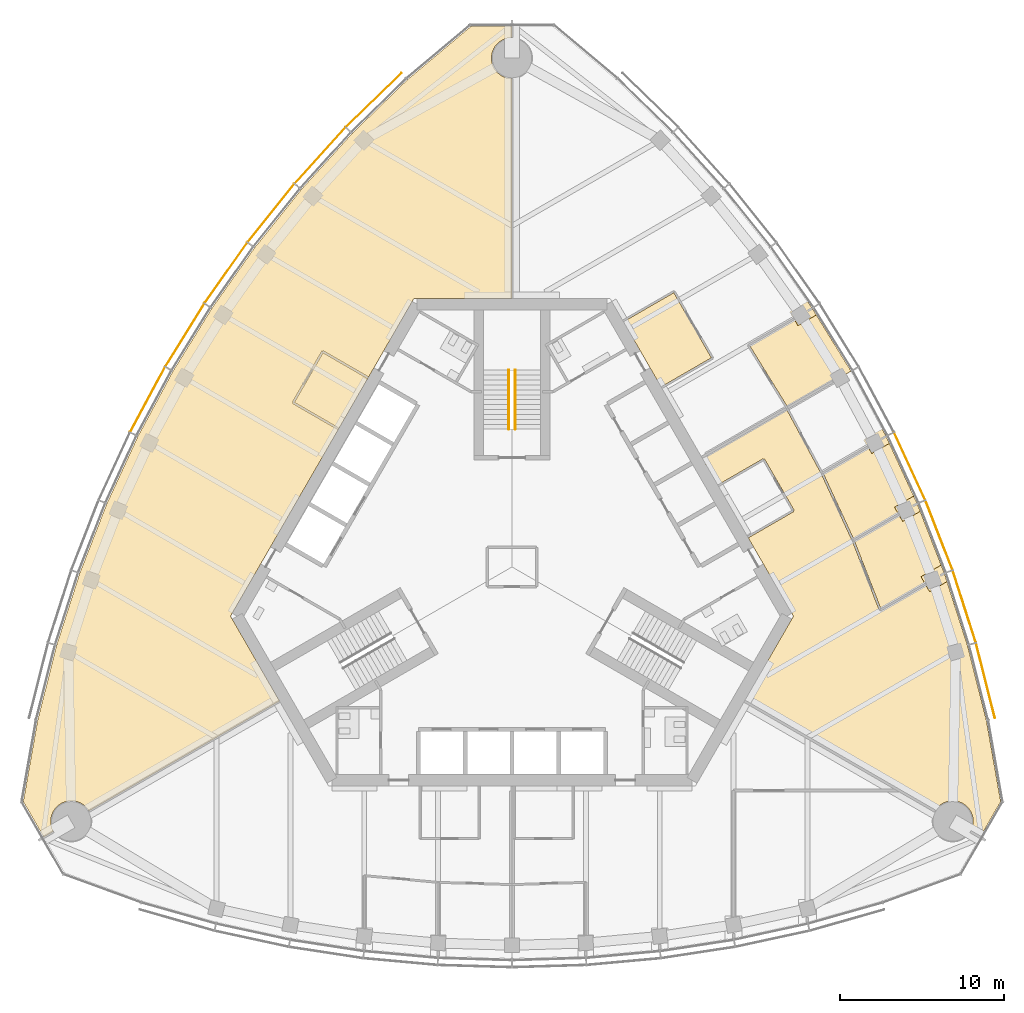
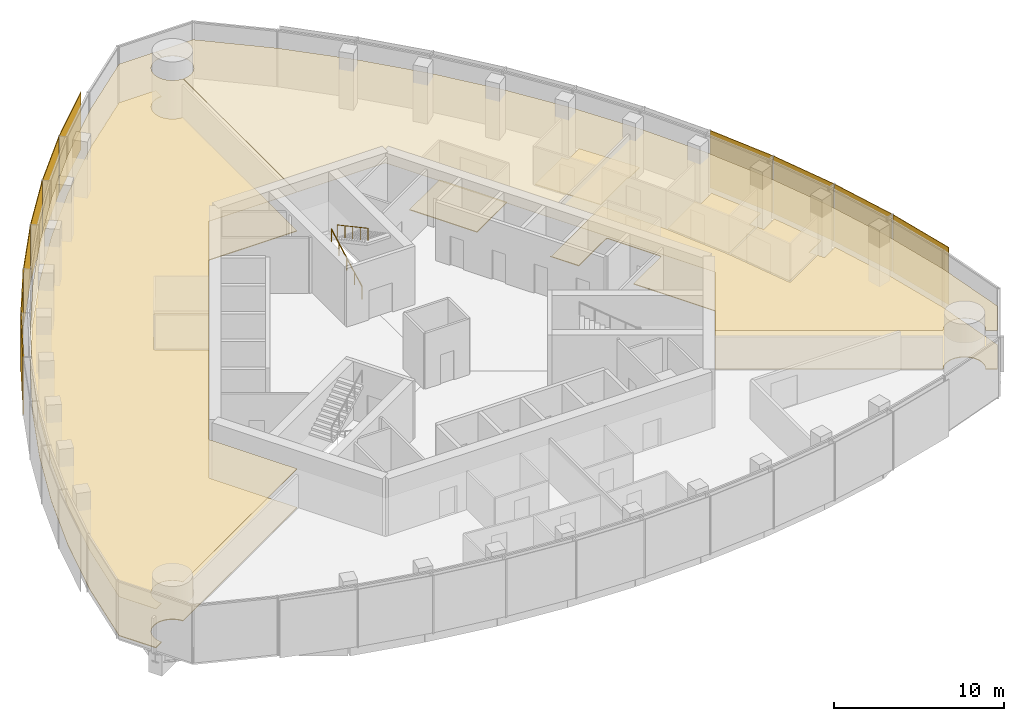
# One storey, part 13 of 16: 10 shading devices, 9 coverings, 2 railings.
"""IFC4 building model written with IfcOpenShell, lengths in metres."""

from ifc_helpers import new_model, si_unit, direction, frame, origin, origin_2d, place, context, subcontext, project, spatial, polyline, rectangle, circle, outline, extrude, material, layer, layer_set, type_object, element, save


model = new_model("IFC4")

# Units and contexts
model_context = context("Model", 3, precision=1e-05, world=origin(), true_north=direction((0.0, 1.0)))
body_context = subcontext(model_context, "Body", "Model", "MODEL_VIEW")
ifc_project = project(units=[si_unit("LENGTHUNIT", "METRE"), si_unit("AREAUNIT", "SQUARE_METRE"), si_unit("VOLUMEUNIT", "CUBIC_METRE"), si_unit("PLANEANGLEUNIT", "RADIAN"), si_unit("MASSUNIT", "GRAM", prefix="KILO")], contexts=[model_context])

# Site, building, storey
site_placement = place(None, origin())
site = spatial("IfcSite", under=ifc_project, at=site_placement, CompositionType="ELEMENT")
building_placement = place(site_placement, origin())
building = spatial("IfcBuilding", under=site, at=building_placement, Name="Trefoil Bronze Tower", CompositionType="ELEMENT")
storey_placement = place(building_placement, frame((0.0, 0.0, 297.300048828125)))
storey = spatial("IfcBuildingStorey", under=building, at=storey_placement, Name="L68", CompositionType="ELEMENT", Elevation=297.300048828125)

# Shading devices
ifc_material_1 = material(Name="Perforated bronze sheet", Category="bronze")
ifc_layer_1 = layer(ifc_material_1, 0.0400390625)
ifc_layer_set_1 = layer_set([ifc_layer_1], Name="Bronze solar screen panel")
shading_device_type = type_object("IfcShadingDeviceType", Name="Bronze solar screen panel", PredefinedType="SHUTTER", material=ifc_layer_set_1)
shading_device_1_placement = place(storey_placement, frame((28.843994140625, -6.927490234375, 0.0498046875), z_axis=(0.0, 0.0, 1.0), x_axis=(-0.244879561333, 0.969553505713, 0.0)))
element("IfcShadingDevice", 1, at=shading_device_1_placement, inside=storey, type_object=shading_device_type, Name="Solar screen CW-A L68 F2 bay 1", PredefinedType="SHUTTER", context=body_context, shape_type="SweptSolid", body=[
    extrude(rectangle(XDim=4.697509765625, YDim=0.0400390625, at=origin_2d()), origin(), (0.0, 0.0, 1.0), 4.10009765625),
])
shading_device_2_placement = place(storey_placement, frame((27.55322265625, -2.410888671875, 0.0498046875), z_axis=(0.0, 0.0, 1.0), x_axis=(-0.305187864214, 0.952292165009, 0.0)))
element("IfcShadingDevice", 2, at=shading_device_2_placement, inside=storey, type_object=shading_device_type, Name="Solar screen CW-A L68 F2 bay 2", PredefinedType="SHUTTER", context=body_context, shape_type="SweptSolid", body=[
    extrude(rectangle(XDim=4.574462890625, YDim=0.0400390625, at=origin_2d()), origin(), (0.0, 0.0, 1.0), 4.10009765625),
])
shading_device_3_placement = place(storey_placement, frame((26.0126953125, 1.93359375, 0.0498046875), z_axis=(0.0, 0.0, 1.0), x_axis=(-0.363198578387, 0.931711754062, 0.0)))
element("IfcShadingDevice", 3, at=shading_device_3_placement, inside=storey, type_object=shading_device_type, Name="Solar screen CW-A L68 F2 bay 3", PredefinedType="SHUTTER", context=body_context, shape_type="SweptSolid", body=[
    extrude(rectangle(XDim=4.5224609375, YDim=0.0400390625, at=origin_2d()), origin(), (0.0, 0.0, 1.0), 4.10009765625),
])
shading_device_4_placement = place(storey_placement, frame((24.2255859375, 6.135986328125, 0.0498046875), z_axis=(0.0, 0.0, 1.0), x_axis=(-0.419309148468, 0.907843509649, 0.0)))
element("IfcShadingDevice", 4, at=shading_device_4_placement, inside=storey, type_object=shading_device_type, Name="Solar screen CW-A L68 F2 bay 4", PredefinedType="SHUTTER", context=body_context, shape_type="SweptSolid", body=[
    extrude(rectangle(XDim=4.48876953125, YDim=0.0400390625, at=origin_2d()), origin(), (0.0, 0.0, 1.0), 4.10009765625),
])
shading_device_5_placement = place(storey_placement, frame((-8.42236328125, 28.443359375, 0.0498046875), z_axis=(0.0, 0.0, 1.0), x_axis=(-0.71721818561, -0.696848673839, 0.0)))
element("IfcShadingDevice", 5, at=shading_device_5_placement, inside=storey, type_object=shading_device_type, Name="Solar screen CW-A L68 F3 bay 1", PredefinedType="SHUTTER", context=body_context, shape_type="SweptSolid", body=[
    extrude(rectangle(XDim=4.697509765625, YDim=0.0400390625, at=origin_2d()), origin(), (0.0, 0.0, 1.0), 4.10009765625),
])
shading_device_6_placement = place(storey_placement, frame((-11.688720703125, 25.067138671875, 0.0498046875), z_axis=(0.0, 0.0, 1.0), x_axis=(-0.672115274615, -0.74044652584, 0.0)))
element("IfcShadingDevice", 6, at=shading_device_6_placement, inside=storey, type_object=shading_device_type, Name="Solar screen CW-A L68 F3 bay 2", PredefinedType="SHUTTER", context=body_context, shape_type="SweptSolid", body=[
    extrude(rectangle(XDim=4.574462890625, YDim=0.0400390625, at=origin_2d()), origin(), (0.0, 0.0, 1.0), 4.10009765625),
])
shading_device_7_placement = place(storey_placement, frame((-14.680908203125, 21.560791015625, 0.0498046875), z_axis=(0.0, 0.0, 1.0), x_axis=(-0.625286758829, -0.780395072533, 0.0)))
element("IfcShadingDevice", 7, at=shading_device_7_placement, inside=storey, type_object=shading_device_type, Name="Solar screen CW-A L68 F3 bay 3", PredefinedType="SHUTTER", context=body_context, shape_type="SweptSolid", body=[
    extrude(rectangle(XDim=4.5224609375, YDim=0.0400390625, at=origin_2d()), origin(), (0.0, 0.0, 1.0), 4.10009765625),
])
shading_device_8_placement = place(storey_placement, frame((-17.4267578125, 17.912109375, 0.0498046875), z_axis=(0.0, 0.0, 1.0), x_axis=(-0.576560967783, -0.817054129437, 0.0)))
element("IfcShadingDevice", 8, at=shading_device_8_placement, inside=storey, type_object=shading_device_type, Name="Solar screen CW-A L68 F3 bay 4", PredefinedType="SHUTTER", context=body_context, shape_type="SweptSolid", body=[
    extrude(rectangle(XDim=4.48876953125, YDim=0.0400390625, at=origin_2d()), origin(), (0.0, 0.0, 1.0), 4.10009765625),
])
for number, where, z_axis, x_axis, name in (
    (9, (-19.931396484375, 14.124267578125, 0.0498046875), (0.0, 0.0, 1.0), (-0.525979532701, -0.850497225851, 0.0), "Solar screen CW-A L68 F3 bay 5"),
    (10, (-22.19775390625, 10.198974609375, 0.0498046875), (0.0, 0.0, 1.0), (-0.473562437085, -0.880760250115, 0.0), "Solar screen CW-A L68 F3 bay 6"),
):
    element("IfcShadingDevice", number, at=place(storey_placement, frame(where, z_axis=z_axis, x_axis=x_axis)), inside=storey, type_object=shading_device_type, Name=name, PredefinedType="SHUTTER", context=body_context, shape_type="SweptSolid", body=[
        extrude(rectangle(XDim=4.47216796875, YDim=0.0400390625, at=origin_2d()), origin(), (0.0, 0.0, 1.0), 4.10009765625),
    ])

# Railings
ifc_material_2 = material(Name="Steel handrail", Category="steel")
railing_type = type_object("IfcRailingType", Name="Handrail 900", PredefinedType="HANDRAIL", material=ifc_material_2)
railing_1_placement = place(storey_placement, frame((-0.199951171875, 8.389892578125, 0.161376953125)))
element("IfcRailing", 11, at=railing_1_placement, inside=storey, type_object=railing_type, Name="Handrail ST2 flight 1 L68", PredefinedType="HANDRAIL", context=body_context, shape_type="SweptSolid", body=[
    extrude(circle(Radius=0.02392578125, at=origin_2d()), frame((0.0, 0.0, 0.8759765625), z_axis=(0.0, 0.880474934443, 0.474092701714), x_axis=(-1.0, 0.0, 0.0)), (0.0, 0.0, 1.0), 4.0888671875),
    extrude(circle(Radius=0.02099609375, at=origin_2d()), origin(), (0.0, 0.0, 1.0), 0.851806640625),
    extrude(circle(Radius=0.02099609375, at=origin_2d()), frame((0.0, 0.89990234375, 0.484619140625)), (0.0, 0.0, 1.0), 0.851806640625),
    extrude(circle(Radius=0.02099609375, at=origin_2d()), frame((0.0, 1.800048828125, 0.96923828125)), (0.0, 0.0, 1.0), 0.851806640625),
    extrude(circle(Radius=0.02099609375, at=origin_2d()), frame((0.0, 2.7001953125, 1.453857421875)), (0.0, 0.0, 1.0), 0.851806640625),
    extrude(circle(Radius=0.02099609375, at=origin_2d()), frame((0.0, 3.60009765625, 1.9384765625)), (0.0, 0.0, 1.0), 0.851806640625),
])
railing_2_placement = place(storey_placement, frame((0.199951171875, 11.989990234375, 2.261474609375)))
element("IfcRailing", 12, at=railing_2_placement, inside=storey, type_object=railing_type, Name="Handrail ST2 flight 2 L68", PredefinedType="HANDRAIL", context=body_context, shape_type="SweptSolid", body=[
    extrude(circle(Radius=0.02392578125, at=origin_2d()), frame((0.0, 0.0, 0.8759765625), z_axis=(0.0, -0.880474934443, 0.474092701714), x_axis=(1.0, 0.0, 0.0)), (0.0, 0.0, 1.0), 4.0888671875),
    extrude(circle(Radius=0.02099609375, at=origin_2d()), origin(), (0.0, 0.0, 1.0), 0.851806640625),
    extrude(circle(Radius=0.02099609375, at=origin_2d()), frame((0.0, -0.89990234375, 0.484619140625)), (0.0, 0.0, 1.0), 0.851806640625),
    extrude(circle(Radius=0.02099609375, at=origin_2d()), frame((0.0, -1.800048828125, 0.96923828125)), (0.0, 0.0, 1.0), 0.851806640625),
    extrude(circle(Radius=0.02099609375, at=origin_2d()), frame((0.0, -2.7001953125, 1.453857421875)), (0.0, 0.0, 1.0), 0.851806640625),
    extrude(circle(Radius=0.02099609375, at=origin_2d()), frame((0.0, -3.60009765625, 1.9384765625)), (0.0, 0.0, 1.0), 0.851806640625),
])

# Coverings
ifc_material_3 = material(Name="Acoustic ceiling panels", Category="mineral fibre")
ifc_layer_2 = layer(ifc_material_3, 0.02001953125)
ifc_layer_set_2 = layer_set([ifc_layer_2], Name="Office ceiling 20")
covering_type_1 = type_object("IfcCoveringType", Name="Office ceiling 20", PredefinedType="CEILING", material=ifc_layer_set_2)
covering_1_placement = place(storey_placement, frame((0.0, 0.0, 2.89990234375)))
element("IfcCovering", 13, at=covering_1_placement, inside=storey, type_object=covering_type_1, Name="Ceiling L68 Client suite F2", PredefinedType="CEILING", context=body_context, shape_type="SweptSolid", body=[
    extrude(outline(polyline([(9.741455078125, 26.408935546875), (12.836181640625, 22.99951171875), (15.682861328125, 19.44677734375), (18.2880859375, 15.7548828125), (20.656005859375, 11.92578125), (22.7880859375, 7.960693359375), (24.682861328125, 3.8583984375), (26.336181640625, -0.38330078125), (27.741455078125, -4.76806640625), (28.899169921875, -9.3515625), (29.770263671875, -14.291748046875), (28.522216796875, -16.453125), (27.93505859375, -16.1142578125), (27.976806640625, -16.034423828125), (28.001708984375, -15.978515625), (28.023681640625, -15.921142578125), (28.04296875, -15.86279296875), (28.059326171875, -15.8037109375), (28.07275390625, -15.743896484375), (28.083251953125, -15.683349609375), (28.0908203125, -15.62255859375), (28.09521484375, -15.561279296875), (28.0966796875, -15.5), (28.09521484375, -15.438720703125), (28.0908203125, -15.37744140625), (28.083251953125, -15.316650390625), (28.07275390625, -15.256103515625), (28.059326171875, -15.1962890625), (28.04296875, -15.13720703125), (28.023681640625, -15.078857421875), (28.001708984375, -15.021484375), (27.976806640625, -14.965576171875), (27.94921875, -14.910888671875), (27.9189453125, -14.857421875), (27.885986328125, -14.805419921875), (27.850830078125, -14.75537109375), (27.81298828125, -14.70703125), (27.77294921875, -14.66064453125), (27.730712890625, -14.6162109375), (27.686279296875, -14.57373046875), (27.639892578125, -14.53369140625), (27.59130859375, -14.49609375), (27.541259765625, -14.460693359375), (27.489501953125, -14.427734375), (27.43603515625, -14.397705078125), (27.381103515625, -14.3701171875), (27.3251953125, -14.34521484375), (27.267822265625, -14.322998046875), (27.209716796875, -14.3037109375), (27.150390625, -14.28759765625), (27.0908203125, -14.27392578125), (27.0302734375, -14.263427734375), (26.96923828125, -14.256103515625), (26.908203125, -14.25146484375), (26.8466796875, -14.25), (26.785400390625, -14.25146484375), (26.724365234375, -14.256103515625), (26.663330078125, -14.263427734375), (26.602783203125, -14.27392578125), (26.543212890625, -14.28759765625), (26.48388671875, -14.3037109375), (26.42578125, -14.322998046875), (26.368408203125, -14.34521484375), (26.312255859375, -14.3701171875), (26.257568359375, -14.397705078125), (26.2041015625, -14.427734375), (26.15234375, -14.460693359375), (26.102294921875, -14.49609375), (26.0537109375, -14.53369140625), (26.00732421875, -14.57373046875), (25.962890625, -14.6162109375), (25.920654296875, -14.66064453125), (25.880615234375, -14.70703125), (25.8427734375, -14.75537109375), (25.8076171875, -14.805419921875), (25.77001953125, -14.865478515625), (14.16259765625, -8.169677734375), (17.147216796875, -3.0), (5.9755859375, 16.35009765625), (0.006103515625, 16.35009765625), (0.01123046875, 29.750244140625), (0.061279296875, 29.75146484375), (0.12255859375, 29.756103515625), (0.183349609375, 29.763427734375), (0.243896484375, 29.77392578125), (0.3037109375, 29.78759765625), (0.36279296875, 29.8037109375), (0.421142578125, 29.822998046875), (0.478515625, 29.84521484375), (0.534423828125, 29.8701171875), (0.589111328125, 29.897705078125), (0.642578125, 29.927734375), (0.694580078125, 29.960693359375), (0.74462890625, 29.99609375), (0.79296875, 30.03369140625), (0.83935546875, 30.07373046875), (0.8837890625, 30.1162109375), (0.92626953125, 30.16064453125), (0.96630859375, 30.20703125), (1.00390625, 30.25537109375), (1.039306640625, 30.305419921875), (1.072265625, 30.357421875), (1.102294921875, 30.410888671875), (1.1298828125, 30.465576171875), (1.15478515625, 30.521484375), (1.177001953125, 30.578857421875), (1.1962890625, 30.63720703125), (1.21240234375, 30.6962890625), (1.22607421875, 30.756103515625), (1.236572265625, 30.816650390625), (1.243896484375, 30.87744140625), (1.24853515625, 30.938720703125), (1.25, 31.0), (1.24853515625, 31.061279296875), (1.243896484375, 31.12255859375), (1.236572265625, 31.183349609375), (1.22607421875, 31.243896484375), (1.21240234375, 31.3037109375), (1.1962890625, 31.36279296875), (1.177001953125, 31.421142578125), (1.15478515625, 31.478515625), (1.1298828125, 31.534423828125), (1.102294921875, 31.589111328125), (1.072265625, 31.642578125), (1.039306640625, 31.694580078125), (1.00390625, 31.74462890625), (0.96630859375, 31.79296875), (0.92626953125, 31.83935546875), (0.8837890625, 31.8837890625), (0.83935546875, 31.92626953125), (0.79296875, 31.96630859375), (0.74462890625, 32.00390625), (0.694580078125, 32.039306640625), (0.642578125, 32.072265625), (0.589111328125, 32.102294921875), (0.534423828125, 32.1298828125), (0.478515625, 32.15478515625), (0.421142578125, 32.177001953125), (0.36279296875, 32.1962890625), (0.3037109375, 32.21240234375), (0.243896484375, 32.22607421875), (0.183349609375, 32.236572265625), (0.12255859375, 32.243896484375), (0.061279296875, 32.24853515625), (0.01220703125, 32.249755859375), (0.01220703125, 32.927490234375), (2.508056640625, 32.927490234375), (6.350830078125, 29.703125), (9.741455078125, 26.408935546875)])), origin(), (0.0, 0.0, 1.0), 0.02001953125),
])
covering_2_placement = place(storey_placement, frame((0.0, 0.0, 2.89990234375)))
element("IfcCovering", 14, at=covering_2_placement, inside=storey, type_object=covering_type_1, Name="Ceiling L68 Open-plan office F3", PredefinedType="CEILING", context=body_context, shape_type="SweptSolid", body=[
    extrude(outline(polyline([(-27.741455078125, -4.76806640625), (-26.336181640625, -0.38330078125), (-24.682861328125, 3.8583984375), (-22.7880859375, 7.960693359375), (-20.656005859375, 11.92578125), (-18.2880859375, 15.7548828125), (-15.682861328125, 19.44677734375), (-12.836181640625, 22.99951171875), (-9.741455078125, 26.408935546875), (-6.350830078125, 29.703125), (-2.508056640625, 32.927490234375), (-0.01220703125, 32.927490234375), (-0.01220703125, 32.249755859375), (-0.061279296875, 32.24853515625), (-0.12255859375, 32.243896484375), (-0.183349609375, 32.236572265625), (-0.243896484375, 32.22607421875), (-0.3037109375, 32.21240234375), (-0.36279296875, 32.1962890625), (-0.421142578125, 32.177001953125), (-0.478515625, 32.15478515625), (-0.534423828125, 32.1298828125), (-0.589111328125, 32.102294921875), (-0.642578125, 32.072265625), (-0.694580078125, 32.039306640625), (-0.74462890625, 32.00390625), (-0.79296875, 31.96630859375), (-0.83935546875, 31.92626953125), (-0.8837890625, 31.8837890625), (-0.92626953125, 31.83935546875), (-0.96630859375, 31.79296875), (-1.00390625, 31.74462890625), (-1.039306640625, 31.694580078125), (-1.072265625, 31.642578125), (-1.102294921875, 31.589111328125), (-1.1298828125, 31.534423828125), (-1.15478515625, 31.478515625), (-1.177001953125, 31.421142578125), (-1.1962890625, 31.36279296875), (-1.21240234375, 31.3037109375), (-1.22607421875, 31.243896484375), (-1.236572265625, 31.183349609375), (-1.243896484375, 31.12255859375), (-1.24853515625, 31.061279296875), (-1.25, 31.0), (-1.24853515625, 30.938720703125), (-1.243896484375, 30.87744140625), (-1.236572265625, 30.816650390625), (-1.22607421875, 30.756103515625), (-1.21240234375, 30.6962890625), (-1.1962890625, 30.63720703125), (-1.177001953125, 30.578857421875), (-1.15478515625, 30.521484375), (-1.1298828125, 30.465576171875), (-1.102294921875, 30.410888671875), (-1.072265625, 30.357421875), (-1.039306640625, 30.305419921875), (-1.00390625, 30.25537109375), (-0.96630859375, 30.20703125), (-0.92626953125, 30.16064453125), (-0.8837890625, 30.1162109375), (-0.83935546875, 30.07373046875), (-0.79296875, 30.03369140625), (-0.74462890625, 29.99609375), (-0.694580078125, 29.960693359375), (-0.642578125, 29.927734375), (-0.589111328125, 29.897705078125), (-0.534423828125, 29.8701171875), (-0.478515625, 29.84521484375), (-0.421142578125, 29.822998046875), (-0.36279296875, 29.8037109375), (-0.3037109375, 29.78759765625), (-0.243896484375, 29.77392578125), (-0.183349609375, 29.763427734375), (-0.12255859375, 29.756103515625), (-0.061279296875, 29.75146484375), (-0.01123046875, 29.750244140625), (-0.006103515625, 16.35009765625), (-5.9755859375, 16.35009765625), (-17.147216796875, -3.0), (-14.16259765625, -8.169677734375), (-25.77001953125, -14.865478515625), (-25.8076171875, -14.805419921875), (-25.8427734375, -14.75537109375), (-25.880615234375, -14.70703125), (-25.920654296875, -14.66064453125), (-25.962890625, -14.6162109375), (-26.00732421875, -14.57373046875), (-26.0537109375, -14.53369140625), (-26.102294921875, -14.49609375), (-26.15234375, -14.460693359375), (-26.2041015625, -14.427734375), (-26.257568359375, -14.397705078125), (-26.312255859375, -14.3701171875), (-26.368408203125, -14.34521484375), (-26.42578125, -14.322998046875), (-26.48388671875, -14.3037109375), (-26.543212890625, -14.28759765625), (-26.602783203125, -14.27392578125), (-26.663330078125, -14.263427734375), (-26.724365234375, -14.256103515625), (-26.785400390625, -14.25146484375), (-26.8466796875, -14.25), (-26.908203125, -14.25146484375), (-26.96923828125, -14.256103515625), (-27.0302734375, -14.263427734375), (-27.0908203125, -14.27392578125), (-27.150390625, -14.28759765625), (-27.209716796875, -14.3037109375), (-27.267822265625, -14.322998046875), (-27.3251953125, -14.34521484375), (-27.381103515625, -14.3701171875), (-27.43603515625, -14.397705078125), (-27.489501953125, -14.427734375), (-27.541259765625, -14.460693359375), (-27.59130859375, -14.49609375), (-27.639892578125, -14.53369140625), (-27.686279296875, -14.57373046875), (-27.730712890625, -14.6162109375), (-27.77294921875, -14.66064453125), (-27.81298828125, -14.70703125), (-27.850830078125, -14.75537109375), (-27.885986328125, -14.805419921875), (-27.9189453125, -14.857421875), (-27.94921875, -14.910888671875), (-27.976806640625, -14.965576171875), (-28.001708984375, -15.021484375), (-28.023681640625, -15.078857421875), (-28.04296875, -15.13720703125), (-28.059326171875, -15.1962890625), (-28.07275390625, -15.256103515625), (-28.083251953125, -15.316650390625), (-28.0908203125, -15.37744140625), (-28.09521484375, -15.438720703125), (-28.0966796875, -15.5), (-28.09521484375, -15.561279296875), (-28.0908203125, -15.62255859375), (-28.083251953125, -15.683349609375), (-28.07275390625, -15.743896484375), (-28.059326171875, -15.8037109375), (-28.04296875, -15.86279296875), (-28.023681640625, -15.921142578125), (-28.001708984375, -15.978515625), (-27.976806640625, -16.034423828125), (-27.93505859375, -16.1142578125), (-28.522216796875, -16.453125), (-29.770263671875, -14.291748046875), (-28.899169921875, -9.3515625), (-27.741455078125, -4.76806640625)])), origin(), (0.0, 0.0, 1.0), 0.02001953125),
])
ifc_material_4 = material(Name="Raised access floor panels", Category="steel")
ifc_layer_3 = layer(ifc_material_4, 0.050048828125)
ifc_layer_set_3 = layer_set([ifc_layer_3], Name="Raised access floor 150")
covering_type_2 = type_object("IfcCoveringType", Name="Raised access floor 150", PredefinedType="FLOORING", material=ifc_layer_set_3)
covering_3_placement = place(storey_placement, frame((0.0, 0.0, 0.099853515625)))
element("IfcCovering", 15, at=covering_3_placement, inside=storey, type_object=covering_type_2, Name="Raised floor L68 Reception F2", PredefinedType="FLOORING", context=body_context, shape_type="SweptSolid", body=[
    extrude(outline(polyline([(6.79150390625, 14.93701171875), (9.857177734375, 16.706787109375), (12.147216796875, 12.740478515625), (9.081298828125, 10.970458984375), (6.79150390625, 14.93701171875)])), origin(), (0.0, 0.0, 1.0), 0.050048828125),
])
covering_4_placement = place(storey_placement, frame((0.0, 0.0, 0.099853515625)))
element("IfcCovering", 16, at=covering_4_placement, inside=storey, type_object=covering_type_2, Name="Raised floor L68 Client meeting room F2", PredefinedType="FLOORING", context=body_context, shape_type="SweptSolid", body=[
    extrude(outline(polyline([(19.547607421875, 11.285888671875), (19.510009765625, 11.350830078125), (16.771484375, 9.76953125), (14.474609375, 13.48388671875), (17.20751953125, 15.061767578125), (17.177490234375, 15.113525390625), (17.180419921875, 15.115234375), (17.419189453125, 14.701904296875), (18.539306640625, 15.348388671875), (20.656005859375, 11.92578125), (19.547607421875, 11.285888671875)])), origin(), (0.0, 0.0, 1.0), 0.050048828125),
])
covering_5_placement = place(storey_placement, frame((0.0, 0.0, 0.099853515625)))
element("IfcCovering", 17, at=covering_5_placement, inside=storey, type_object=covering_type_2, Name="Raised floor L68 Client meeting room F2", PredefinedType="FLOORING", context=body_context, shape_type="SweptSolid", body=[
    extrude(outline(polyline([(23.519775390625, 3.256103515625), (20.8125, 1.693115234375), (18.968505859375, 5.68603515625), (21.70751953125, 7.267333984375), (21.677490234375, 7.3193359375), (21.680419921875, 7.321044921875), (21.919189453125, 6.90771484375), (22.989013671875, 7.525390625), (24.47119140625, 4.316162109375), (23.298583984375, 3.63916015625), (23.519775390625, 3.256103515625)])), origin(), (0.0, 0.0, 1.0), 0.050048828125),
])
covering_6_placement = place(storey_placement, frame((0.0, 0.0, 0.099853515625)))
element("IfcCovering", 18, at=covering_6_placement, inside=storey, type_object=covering_type_2, Name="Raised floor L68 Servery F2", PredefinedType="FLOORING", context=body_context, shape_type="SweptSolid", body=[
    extrude(outline(polyline([(25.146728515625, -1.000732421875), (22.4697265625, -2.54638671875), (20.8603515625, 1.58203125), (23.579833984375, 3.152099609375), (23.801025390625, 2.769287109375), (24.867431640625, 3.385009765625), (26.143310546875, 0.112060546875), (24.9140625, -0.59765625), (25.146728515625, -1.000732421875)])), origin(), (0.0, 0.0, 1.0), 0.050048828125),
])
covering_7_placement = place(storey_placement, frame((0.0, 0.0, 0.099853515625)))
element("IfcCovering", 19, at=covering_7_placement, inside=storey, type_object=covering_type_2, Name="Raised floor L68 Client suite F2", PredefinedType="FLOORING", context=body_context, shape_type="SweptSolid", body=[
    extrude(outline(polyline([(11.570556640625, 6.67919921875), (11.607666015625, 6.614990234375), (16.742431640625, 9.57958984375), (18.83740234375, 5.683837890625), (20.73046875, 1.584716796875), (22.38330078125, -2.655029296875), (22.439208984375, -2.63330078125), (22.468994140625, -2.685302734375), (25.206787109375, -1.104736328125), (25.439453125, -1.5078125), (26.500244140625, -0.895263671875), (27.741455078125, -4.76806640625), (28.899169921875, -9.3515625), (29.770263671875, -14.291748046875), (28.522216796875, -16.453125), (27.93505859375, -16.1142578125), (27.976806640625, -16.034423828125), (28.001708984375, -15.978515625), (28.023681640625, -15.921142578125), (28.04296875, -15.86279296875), (28.059326171875, -15.8037109375), (28.07275390625, -15.743896484375), (28.083251953125, -15.683349609375), (28.0908203125, -15.62255859375), (28.09521484375, -15.561279296875), (28.0966796875, -15.5), (28.09521484375, -15.438720703125), (28.0908203125, -15.37744140625), (28.083251953125, -15.316650390625), (28.07275390625, -15.256103515625), (28.059326171875, -15.1962890625), (28.04296875, -15.13720703125), (28.023681640625, -15.078857421875), (28.001708984375, -15.021484375), (27.976806640625, -14.965576171875), (27.94921875, -14.910888671875), (27.9189453125, -14.857421875), (27.885986328125, -14.805419921875), (27.850830078125, -14.75537109375), (27.81298828125, -14.70703125), (27.77294921875, -14.66064453125), (27.730712890625, -14.6162109375), (27.686279296875, -14.57373046875), (27.639892578125, -14.53369140625), (27.59130859375, -14.49609375), (27.541259765625, -14.460693359375), (27.489501953125, -14.427734375), (27.43603515625, -14.397705078125), (27.381103515625, -14.3701171875), (27.3251953125, -14.34521484375), (27.267822265625, -14.322998046875), (27.209716796875, -14.3037109375), (27.150390625, -14.28759765625), (27.0908203125, -14.27392578125), (27.0302734375, -14.263427734375), (26.96923828125, -14.256103515625), (26.908203125, -14.25146484375), (26.8466796875, -14.25), (26.785400390625, -14.25146484375), (26.724365234375, -14.256103515625), (26.663330078125, -14.263427734375), (26.602783203125, -14.27392578125), (26.543212890625, -14.28759765625), (26.48388671875, -14.3037109375), (26.42578125, -14.322998046875), (26.368408203125, -14.34521484375), (26.312255859375, -14.3701171875), (26.257568359375, -14.397705078125), (26.2041015625, -14.427734375), (26.15234375, -14.460693359375), (26.102294921875, -14.49609375), (26.0537109375, -14.53369140625), (26.00732421875, -14.57373046875), (25.962890625, -14.6162109375), (25.920654296875, -14.66064453125), (25.880615234375, -14.70703125), (25.8427734375, -14.75537109375), (25.8076171875, -14.805419921875), (25.77001953125, -14.865478515625), (14.16259765625, -8.169677734375), (17.147216796875, -3.0), (14.391357421875, 1.773193359375), (17.16259765625, 3.373291015625), (17.1328125, 3.42529296875), (17.184814453125, 3.455322265625), (15.384765625, 6.572998046875), (15.332763671875, 6.54296875), (15.302734375, 6.594970703125), (12.531494140625, 4.994873046875), (11.56201171875, 6.674072265625), (11.570556640625, 6.67919921875)])), origin(), (0.0, 0.0, 1.0), 0.050048828125),
])
covering_8_placement = place(storey_placement, frame((0.0, 0.0, 0.099853515625)))
element("IfcCovering", 20, at=covering_8_placement, inside=storey, type_object=covering_type_2, Name="Raised floor L68 Meeting room F3", PredefinedType="FLOORING", context=body_context, shape_type="SweptSolid", body=[
    extrude(outline(polyline([(-10.531494140625, 8.458984375), (-13.250732421875, 10.029052734375), (-11.5107421875, 13.042724609375), (-8.79150390625, 11.472900390625), (-10.531494140625, 8.458984375)])), origin(), (0.0, 0.0, 1.0), 0.050048828125),
])
covering_9_placement = place(storey_placement, frame((0.0, 0.0, 0.099853515625)))
element("IfcCovering", 21, at=covering_9_placement, inside=storey, type_object=covering_type_2, Name="Raised floor L68 Open-plan office F3", PredefinedType="FLOORING", context=body_context, shape_type="SweptSolid", body=[
    extrude(outline(polyline([(-29.770263671875, -14.291748046875), (-28.899169921875, -9.3515625), (-27.741455078125, -4.76806640625), (-26.336181640625, -0.38330078125), (-24.682861328125, 3.8583984375), (-22.7880859375, 7.960693359375), (-20.656005859375, 11.92578125), (-18.2880859375, 15.7548828125), (-15.682861328125, 19.44677734375), (-12.836181640625, 22.99951171875), (-9.741455078125, 26.408935546875), (-6.350830078125, 29.703125), (-2.508056640625, 32.927490234375), (-0.01220703125, 32.927490234375), (-0.01220703125, 32.249755859375), (-0.061279296875, 32.24853515625), (-0.12255859375, 32.243896484375), (-0.183349609375, 32.236572265625), (-0.243896484375, 32.22607421875), (-0.3037109375, 32.21240234375), (-0.36279296875, 32.1962890625), (-0.421142578125, 32.177001953125), (-0.478515625, 32.15478515625), (-0.534423828125, 32.1298828125), (-0.589111328125, 32.102294921875), (-0.642578125, 32.072265625), (-0.694580078125, 32.039306640625), (-0.74462890625, 32.00390625), (-0.79296875, 31.96630859375), (-0.83935546875, 31.92626953125), (-0.8837890625, 31.8837890625), (-0.92626953125, 31.83935546875), (-0.96630859375, 31.79296875), (-1.00390625, 31.74462890625), (-1.039306640625, 31.694580078125), (-1.072265625, 31.642578125), (-1.102294921875, 31.589111328125), (-1.1298828125, 31.534423828125), (-1.15478515625, 31.478515625), (-1.177001953125, 31.421142578125), (-1.1962890625, 31.36279296875), (-1.21240234375, 31.3037109375), (-1.22607421875, 31.243896484375), (-1.236572265625, 31.183349609375), (-1.243896484375, 31.12255859375), (-1.24853515625, 31.061279296875), (-1.25, 31.0), (-1.24853515625, 30.938720703125), (-1.243896484375, 30.87744140625), (-1.236572265625, 30.816650390625), (-1.22607421875, 30.756103515625), (-1.21240234375, 30.6962890625), (-1.1962890625, 30.63720703125), (-1.177001953125, 30.578857421875), (-1.15478515625, 30.521484375), (-1.1298828125, 30.465576171875), (-1.102294921875, 30.410888671875), (-1.072265625, 30.357421875), (-1.039306640625, 30.305419921875), (-1.00390625, 30.25537109375), (-0.96630859375, 30.20703125), (-0.92626953125, 30.16064453125), (-0.8837890625, 30.1162109375), (-0.83935546875, 30.07373046875), (-0.79296875, 30.03369140625), (-0.74462890625, 29.99609375), (-0.694580078125, 29.960693359375), (-0.642578125, 29.927734375), (-0.589111328125, 29.897705078125), (-0.534423828125, 29.8701171875), (-0.478515625, 29.84521484375), (-0.421142578125, 29.822998046875), (-0.36279296875, 29.8037109375), (-0.3037109375, 29.78759765625), (-0.243896484375, 29.77392578125), (-0.183349609375, 29.763427734375), (-0.12255859375, 29.756103515625), (-0.061279296875, 29.75146484375), (-0.01123046875, 29.750244140625), (-0.006103515625, 16.35009765625), (-5.9755859375, 16.35009765625), (-8.7314453125, 11.57666015625), (-11.502685546875, 13.1767578125), (-11.53271484375, 13.124755859375), (-11.584716796875, 13.15478515625), (-13.384765625, 10.037109375), (-13.332763671875, 10.007080078125), (-13.36279296875, 9.955078125), (-10.59130859375, 8.35498046875), (-17.147216796875, -3.0), (-14.16259765625, -8.169677734375), (-25.77001953125, -14.865478515625), (-25.8076171875, -14.805419921875), (-25.8427734375, -14.75537109375), (-25.880615234375, -14.70703125), (-25.920654296875, -14.66064453125), (-25.962890625, -14.6162109375), (-26.00732421875, -14.57373046875), (-26.0537109375, -14.53369140625), (-26.102294921875, -14.49609375), (-26.15234375, -14.460693359375), (-26.2041015625, -14.427734375), (-26.257568359375, -14.397705078125), (-26.312255859375, -14.3701171875), (-26.368408203125, -14.34521484375), (-26.42578125, -14.322998046875), (-26.48388671875, -14.3037109375), (-26.543212890625, -14.28759765625), (-26.602783203125, -14.27392578125), (-26.663330078125, -14.263427734375), (-26.724365234375, -14.256103515625), (-26.785400390625, -14.25146484375), (-26.8466796875, -14.25), (-26.908203125, -14.25146484375), (-26.96923828125, -14.256103515625), (-27.0302734375, -14.263427734375), (-27.0908203125, -14.27392578125), (-27.150390625, -14.28759765625), (-27.209716796875, -14.3037109375), (-27.267822265625, -14.322998046875), (-27.3251953125, -14.34521484375), (-27.381103515625, -14.3701171875), (-27.43603515625, -14.397705078125), (-27.489501953125, -14.427734375), (-27.541259765625, -14.460693359375), (-27.59130859375, -14.49609375), (-27.639892578125, -14.53369140625), (-27.686279296875, -14.57373046875), (-27.730712890625, -14.6162109375), (-27.77294921875, -14.66064453125), (-27.81298828125, -14.70703125), (-27.850830078125, -14.75537109375), (-27.885986328125, -14.805419921875), (-27.9189453125, -14.857421875), (-27.94921875, -14.910888671875), (-27.976806640625, -14.965576171875), (-28.001708984375, -15.021484375), (-28.023681640625, -15.078857421875), (-28.04296875, -15.13720703125), (-28.059326171875, -15.1962890625), (-28.07275390625, -15.256103515625), (-28.083251953125, -15.316650390625), (-28.0908203125, -15.37744140625), (-28.09521484375, -15.438720703125), (-28.0966796875, -15.5), (-28.09521484375, -15.561279296875), (-28.0908203125, -15.62255859375), (-28.083251953125, -15.683349609375), (-28.07275390625, -15.743896484375), (-28.059326171875, -15.8037109375), (-28.04296875, -15.86279296875), (-28.023681640625, -15.921142578125), (-28.001708984375, -15.978515625), (-27.976806640625, -16.034423828125), (-27.93505859375, -16.1142578125), (-28.522216796875, -16.453125), (-29.770263671875, -14.291748046875)])), origin(), (0.0, 0.0, 1.0), 0.050048828125),
])

save(model, "model.ifc")
